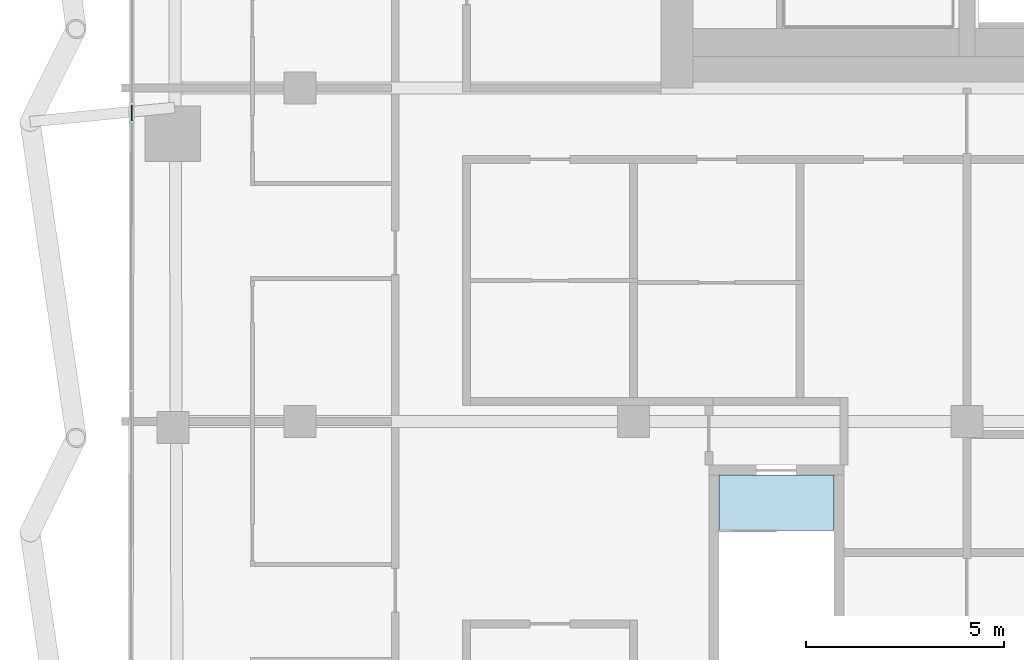
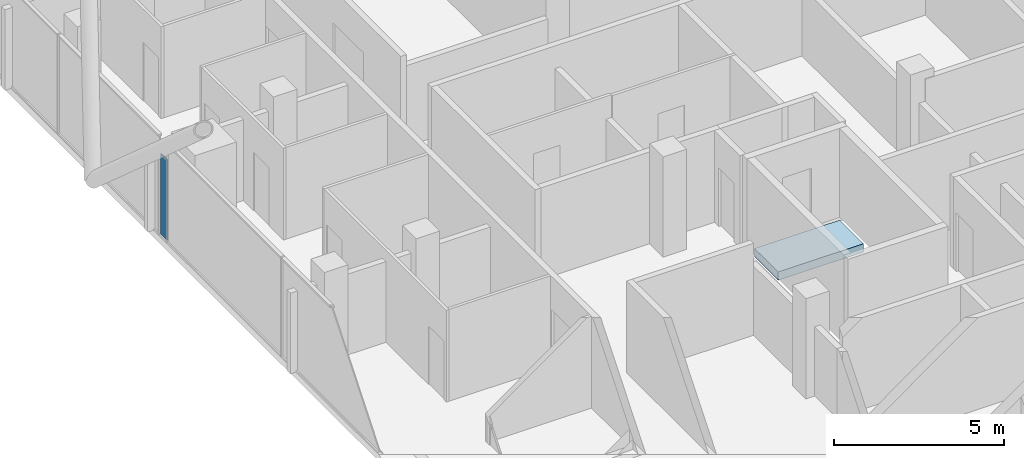
# One storey, part 18 of 33: 1 plate, 1 slab, 1 element without a shape of its own.
"""IFC4 building model written with IfcOpenShell, lengths in metres."""

from ifc_helpers import new_model, si_unit, direction, frame, origin, origin_2d, place, context, subcontext, project, spatial, polyline, rectangle, outline, extrude, material, layer, layer_set, type_object, element, aggregate, save


model = new_model("IFC4")

# Units and contexts
model_context = context("Model", 3, precision=1e-05, world=origin(), true_north=direction((0.0, 1.0)))
body_context = subcontext(model_context, "Body", "Model", "MODEL_VIEW")
ifc_project = project(units=[si_unit("LENGTHUNIT", "METRE"), si_unit("AREAUNIT", "SQUARE_METRE"), si_unit("VOLUMEUNIT", "CUBIC_METRE"), si_unit("PLANEANGLEUNIT", "RADIAN"), si_unit("MASSUNIT", "GRAM", prefix="KILO")], contexts=[model_context])

# Site, building, storey
site_placement = place(None, origin())
site = spatial("IfcSite", under=ifc_project, at=site_placement, CompositionType="ELEMENT")
building_placement = place(site_placement, origin())
building = spatial("IfcBuilding", under=site, at=building_placement, Name="Marenta Gate Hotel Tower", CompositionType="ELEMENT")
storey_placement = place(building_placement, frame((0.0, 0.0, 248.89990234375)))
storey = spatial("IfcBuildingStorey", under=building, at=storey_placement, Name="L59", CompositionType="ELEMENT", Elevation=248.89990234375)

# Curtain wall, plate
ifc_material_1 = material(Name="Tinted insulated glass in bronze anodised frame", Category="glass")
ifc_layer_1 = layer(ifc_material_1, 0.1201171875)
ifc_layer_set_1 = layer_set([ifc_layer_1], Name="Tinted insulated glass in bronze anodised frame")
curtain_wall_type = type_object("IfcCurtainWallType", Name="Tower unitised curtain wall CW1", PredefinedType="NOTDEFINED", material=ifc_layer_set_1)
curtain_wall_placement = place(storey_placement, origin())
curtain_wall = element("IfcCurtainWall", 1, at=curtain_wall_placement, inside=storey, type_object=curtain_wall_type, Name="CW1 run G07", PredefinedType="NOTDEFINED")
ifc_material_2 = material(Name="Tinted insulated glass", Category="glass")
ifc_layer_2 = layer(ifc_material_2, 0.028076171875)
ifc_layer_set_2 = layer_set([ifc_layer_2], Name="Tinted insulated glass")
plate_type = type_object("IfcPlateType", Name="Glass panel CW1 28 mm tinted insulated unit", PredefinedType="CURTAIN_PANEL", material=ifc_layer_set_2)
plate_placement = place(storey_placement, frame((-25.24072265625, -0.6279296875, 0.06005859375), z_axis=(0.0, 0.0, 1.0), x_axis=(-0.001537446022, -0.999998818129, 0.0)))
plate = element("IfcPlate", 2, at=plate_placement, type_object=plate_type, Name="CW1 panel 1.1", PredefinedType="CURTAIN_PANEL", context=body_context, shape_type="SweptSolid", body=[
    extrude(rectangle(XDim=0.395263671875, YDim=0.028076171875, at=origin_2d()), origin(), (0.0, 0.0, 1.0), 2.880615234375),
])
aggregate(curtain_wall, [plate])

# Slab
ifc_material_3 = material(Name="Concrete C40", Category="concrete")
ifc_layer_3 = layer(ifc_material_3, 0.300048828125)
ifc_layer_set_3 = layer_set([ifc_layer_3], Name="Concrete C40")
slab_type = type_object("IfcSlabType", Name="Stair floor landing slab 300", PredefinedType="FLOOR", material=ifc_layer_set_3)
slab_placement = place(storey_placement, frame((0.0, 0.0, -0.2998046875)))
element("IfcSlab", 3, at=slab_placement, inside=storey, type_object=slab_type, Name="L59-RS-Z3-1-CL", PredefinedType="FLOOR", context=body_context, shape_type="SweptSolid", body=[
    extrude(outline(polyline([(-7.550048828125, -11.14990234375), (-7.550048828125, -9.75), (-10.449951171875, -9.75), (-10.449951171875, -11.14990234375), (-7.550048828125, -11.14990234375)])), origin(), (0.0, 0.0, 1.0), 0.2998046875),
])

save(model, "model.ifc")
